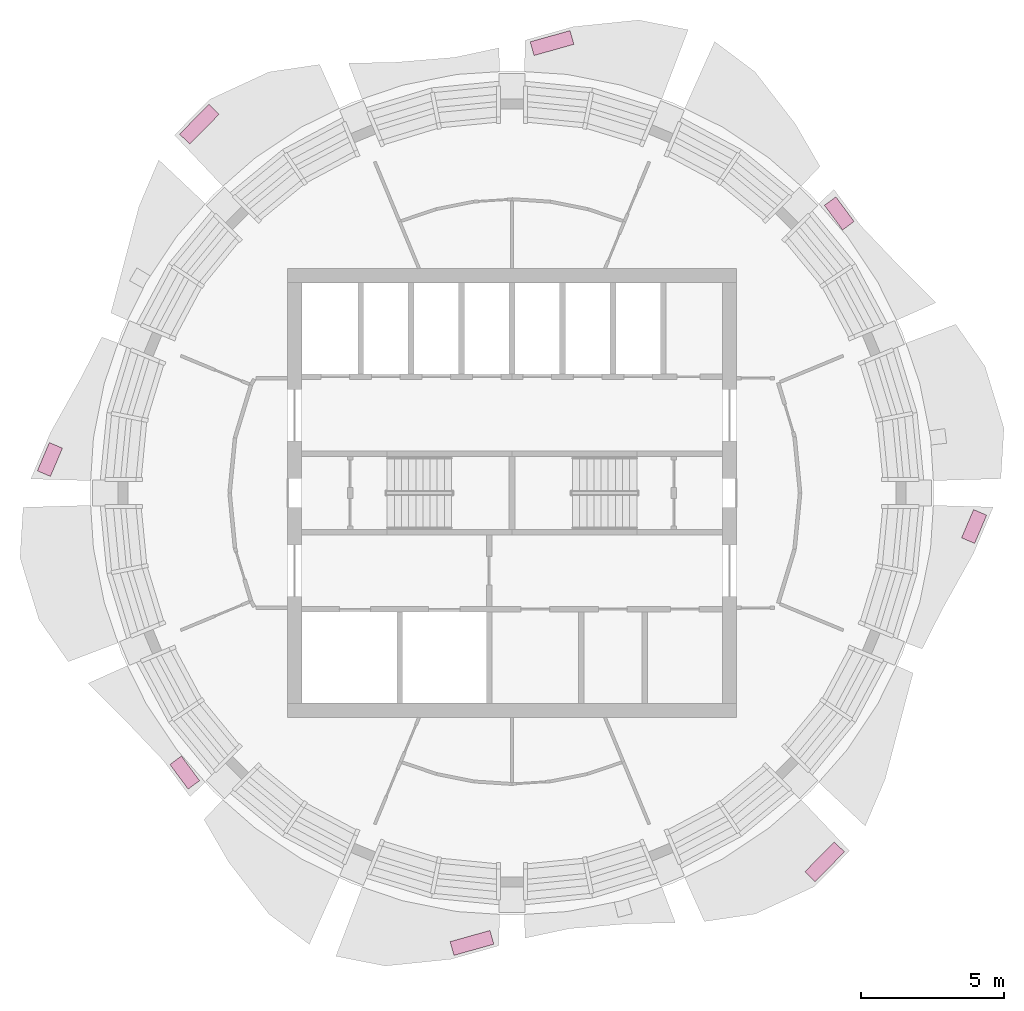
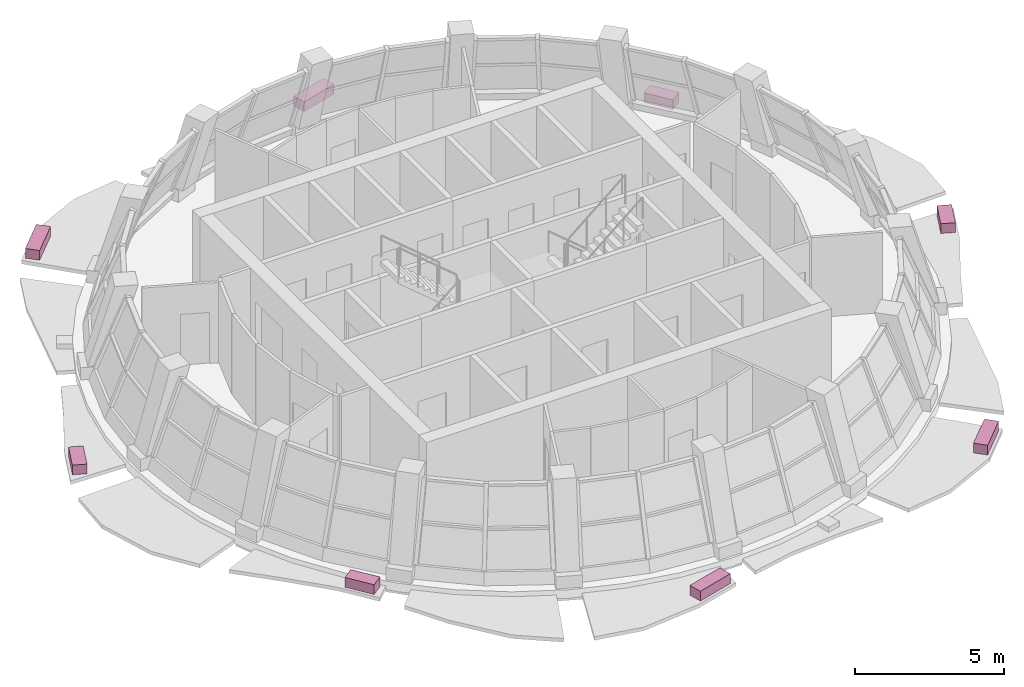
# One storey, part 12 of 12: 8 furniture elements.
"""IFC4 building model written with IfcOpenShell, lengths in metres."""

import ifcopenshell
import ifcopenshell.guid

model = None  # the IFC model being written
_history = None  # IfcOwnerHistory: only IFC2X3 demands one
_inside = {}  # id of a spatial element -> (the spatial element, [elements in it])
_under = {}  # id of a project, library or spatial element -> (it, [spatial elements below it])
_declared = {}  # id of a project -> (the project, [libraries it declares])
_typed = {}  # id of a type object -> (the type object, [elements of that type])
_made_of = {}  # id of a material, layer set ... -> (it, [elements and type objects made of it])


def new_model(schema):
    """Start an empty IFC model of exactly this schema.

    Asked for "IFC4X3", IfcOpenShell would pick the latest addendum, in which some entities
    have other attributes; the version numbers below select the first issue.
    IFC2X3 requires an IfcOwnerHistory on every rooted entity: one is made here for all.
    """
    global model, _history
    if schema == "IFC4X3":
        model = ifcopenshell.file(schema_version=(4, 3, 0, 0))
    else:
        model = ifcopenshell.file(schema=schema)
    _inside.clear()
    _under.clear()
    _declared.clear()
    _typed.clear()
    _made_of.clear()
    _history = None
    if model.schema == "IFC2X3":
        org = make("IfcOrganization", Name="unknown")
        user = make(
            "IfcPersonAndOrganization",
            ThePerson=make("IfcPerson", FamilyName="unknown"),
            TheOrganization=org,
        )
        app = make(
            "IfcApplication",
            ApplicationDeveloper=org,
            Version="unknown",
            ApplicationFullName="unknown",
            ApplicationIdentifier="unknown",
        )
        _history = make(
            "IfcOwnerHistory",
            OwningUser=user,
            OwningApplication=app,
            ChangeAction="ADDED",
            CreationDate=0,
        )
    return model


def make(cls, **values):
    """One entity of the class cls with the attributes given. An attribute that is None is left unset."""
    return model.create_entity(
        cls, **{name: value for name, value in values.items() if value is not None}
    )


def rooted(cls, **values):
    """An entity with a GlobalId (a new one), such as an element, a storey or a relation."""
    return make(cls, GlobalId=ifcopenshell.guid.new(), OwnerHistory=_history, **values)


def si_unit(unit_type, name, prefix=None):
    """IfcSIUnit, for example si_unit("LENGTHUNIT", "METRE", prefix="MILLI")."""
    return make("IfcSIUnit", UnitType=unit_type, Prefix=prefix, Name=name)


def assignment(units):
    """IfcUnitAssignment: the units of a project."""
    return None if units is None else make("IfcUnitAssignment", Units=units)


def point(xyz):
    """IfcCartesianPoint."""
    return None if xyz is None else make("IfcCartesianPoint", Coordinates=xyz)


def direction(xyz):
    """IfcDirection."""
    return None if xyz is None else make("IfcDirection", DirectionRatios=xyz)


def frame(location, z_axis=None, x_axis=None):
    """IfcAxis2Placement3D, a coordinate frame: its origin and axes. An axis left out is left unset."""
    return make(
        "IfcAxis2Placement3D",
        Location=point(location),
        Axis=direction(z_axis),
        RefDirection=direction(x_axis),
    )


def frame_2d(location, x_axis=None):
    """IfcAxis2Placement2D, a coordinate frame in the plane: its origin and x axis."""
    return make(
        "IfcAxis2Placement2D", Location=point(location), RefDirection=direction(x_axis)
    )


def origin():
    """The frame at (0, 0, 0) with its axes left unset."""
    return frame((0.0, 0.0, 0.0))


def origin_2d():
    """The frame at (0, 0) in the plane with its x axis left unset."""
    return frame_2d((0.0, 0.0))


def place(relative_to, where):
    """IfcLocalPlacement: puts the frame where relative to a parent placement (None: the world)."""
    return make(
        "IfcLocalPlacement", PlacementRelTo=relative_to, RelativePlacement=where
    )


def context(
    kind, dimensions, precision=None, world=None, true_north=None, identifier=None
):
    """IfcGeometricRepresentationContext, for example the 3D "Model" context."""
    return make(
        "IfcGeometricRepresentationContext",
        ContextIdentifier=identifier,
        ContextType=kind,
        CoordinateSpaceDimension=dimensions,
        Precision=precision,
        WorldCoordinateSystem=world,
        TrueNorth=true_north,
    )


def subcontext(parent, identifier, kind, view, scale=None):
    """IfcGeometricRepresentationSubContext, for example "Body" below "Model"."""
    return make(
        "IfcGeometricRepresentationSubContext",
        ContextIdentifier=identifier,
        ContextType=kind,
        ParentContext=parent,
        TargetScale=scale,
        TargetView=view,
    )


def project(units=None, contexts=None):
    """IfcProject with its units and contexts."""
    return rooted(
        "IfcProject",
        Name="project",
        RepresentationContexts=contexts,
        UnitsInContext=assignment(units),
    )


def spatial(cls, under=None, at=None, **own):
    """A site, building, storey or space (cls), placed at a placement, below another one or the project."""
    s = rooted(cls, ObjectPlacement=at, **own)
    if under is not None:
        _under.setdefault(under.id(), (under, []))[1].append(s)
    return s


def profile(cls, at=None, kind="AREA", **sizes):
    """A parametric profile (cls). Its sizes go by their IFC names, for example OverallWidth=200.0."""
    return make(cls, ProfileType=kind, Position=at, **sizes)


def rectangle(**sizes):
    """IfcRectangleProfileDef."""
    return profile("IfcRectangleProfileDef", **sizes)


def extrude(swept, where, along, depth):
    """IfcExtrudedAreaSolid: the profile swept, set in the frame where, extruded along a direction by depth."""
    return make(
        "IfcExtrudedAreaSolid",
        SweptArea=swept,
        Position=where,
        ExtrudedDirection=direction(along),
        Depth=depth,
    )


def shape(context_of_items, identifier, shape_type, items):
    """IfcShapeRepresentation: the items that make up one representation, for example the "Body"."""
    return make(
        "IfcShapeRepresentation",
        ContextOfItems=context_of_items,
        RepresentationIdentifier=identifier,
        RepresentationType=shape_type,
        Items=items,
    )


def material(Name=None, Category=None):
    """IfcMaterial."""
    return make("IfcMaterial", Name=Name, Category=Category)


def made_of(thing, what):
    """Note that an element or type object is made of a material, layer set ...; save() writes the relation."""
    if what is not None:
        _made_of.setdefault(what.id(), (what, []))[1].append(thing)
    return thing


def type_object(cls, material=None, **own):
    """A type object (cls), such as IfcWallType, which elements share."""
    return made_of(rooted(cls, **own), material)


def element(
    cls,
    number,
    at=None,
    inside=None,
    cuts=None,
    type_object=None,
    material=None,
    context=None,
    identifier="Body",
    shape_type=None,
    held_by="IfcProductDefinitionShape",
    body=None,
    shapes=None,
    **own,
):
    """One element of the class cls, such as IfcWall. Its Tag is "e" and its number.

    at: its placement. inside: the storey or other place that contains it. cuts: it is an
    opening in that element (IfcRelVoidsElement). A single representation is given by context,
    identifier, shape_type and body (its items); several are given by shapes. held_by: the class
    of the entity that holds the representations. save() writes the other relations.
    """
    e = rooted(cls, Tag="e%d" % number, ObjectPlacement=at, **own)
    if body is not None:
        shapes = [shape(context, identifier, shape_type, body)]
    if shapes is not None:
        e.Representation = make(held_by, Representations=shapes)
    if inside is not None:
        _inside.setdefault(inside.id(), (inside, []))[1].append(e)
    if cuts is not None:
        rooted(
            "IfcRelVoidsElement", RelatingBuildingElement=cuts, RelatedOpeningElement=e
        )
    if type_object is not None:
        _typed.setdefault(type_object.id(), (type_object, []))[1].append(e)
    return made_of(e, material)


def aggregate(whole, parts):
    """IfcRelAggregates: a whole, such as a stair, and the parts it consists of."""
    return rooted("IfcRelAggregates", RelatingObject=whole, RelatedObjects=parts)


def save(model, path):
    """Write the relations noted so far, then the file.

    IfcRelAggregates (storeys below a building ...), IfcRelContainedInSpatialStructure (elements
    in a storey), IfcRelDefinesByType, IfcRelAssociatesMaterial and IfcRelDeclares: one each for
    every whole, place, type object, material and project.
    """
    for whole, parts in _under.values():
        aggregate(whole, parts)
    for where, things in _inside.values():
        rooted(
            "IfcRelContainedInSpatialStructure",
            RelatedElements=things,
            RelatingStructure=where,
        )
    for kind, things in _typed.values():
        rooted("IfcRelDefinesByType", RelatedObjects=things, RelatingType=kind)
    for what, things in _made_of.values():
        rooted("IfcRelAssociatesMaterial", RelatedObjects=things, RelatingMaterial=what)
    for by, libraries in _declared.values():
        rooted("IfcRelDeclares", RelatingContext=by, RelatedDefinitions=libraries)
    model.write(path)


model = new_model("IFC4")

# Units and contexts
model_context = context("Model", 3, precision=1e-05, world=origin(), true_north=direction((0.0, 1.0)))
body_context = subcontext(model_context, "Body", "Model", "MODEL_VIEW")
ifc_project = project(units=[si_unit("LENGTHUNIT", "METRE"), si_unit("AREAUNIT", "SQUARE_METRE"), si_unit("VOLUMEUNIT", "CUBIC_METRE"), si_unit("PLANEANGLEUNIT", "RADIAN"), si_unit("MASSUNIT", "GRAM", prefix="KILO")], contexts=[model_context])

# Site, building, storey
site_placement = place(None, origin())
site = spatial("IfcSite", under=ifc_project, at=site_placement, CompositionType="ELEMENT")
building_placement = place(site_placement, origin())
building = spatial("IfcBuilding", under=site, at=building_placement, Name="Polderwave Tower", CompositionType="ELEMENT")
storey_placement = place(building_placement, frame((0.0, 0.0, 231.199951171875)))
storey = spatial("IfcBuildingStorey", under=building, at=storey_placement, Name="L63", CompositionType="ELEMENT", Elevation=231.199951171875)

# Furniture
ifc_material = material(Name="Terracotta", Category="masonry")
furniture_type = type_object("IfcFurnitureType", Name="Terracotta planting trough", AssemblyPlace="NOTDEFINED", PredefinedType="USERDEFINED", material=ifc_material)
furniture_1_placement = place(storey_placement, frame((11.471435546875, 9.80126953125, -0.199951171875), z_axis=(0.0, 0.0, 1.0), x_axis=(-0.594911171834, 0.803791451577, 0.0)))
element("IfcFurniture", 1, at=furniture_1_placement, inside=storey, type_object=furniture_type, Name="Planting trough L63 2", ObjectType="PLANTER", PredefinedType="USERDEFINED", context=body_context, shape_type="SweptSolid", body=[
    extrude(rectangle(XDim=1.0732421875, YDim=0.5, at=origin_2d()), origin(), (0.0, 0.0, 1.0), 0.39990234375),
])
furniture_2_placement = place(storey_placement, frame((1.4033203125, 15.772705078125, -0.199951171875), z_axis=(0.0, 0.0, 1.0), x_axis=(-0.962729047938, -0.270467706493, 0.0)))
element("IfcFurniture", 2, at=furniture_2_placement, inside=storey, type_object=furniture_type, Name="Planting trough L63 4", ObjectType="PLANTER", PredefinedType="USERDEFINED", context=body_context, shape_type="SweptSolid", body=[
    extrude(rectangle(XDim=1.451904296875, YDim=0.5, at=origin_2d()), origin(), (0.0, 0.0, 1.0), 0.39990234375),
])
furniture_3_placement = place(storey_placement, frame((-10.9619140625, 12.927490234375, -0.199951171875), z_axis=(0.0, 0.0, 1.0), x_axis=(-0.703124205656, -0.711067051283, 0.0)))
element("IfcFurniture", 3, at=furniture_3_placement, inside=storey, type_object=furniture_type, Name="Planting trough L63 6", ObjectType="PLANTER", PredefinedType="USERDEFINED", context=body_context, shape_type="SweptSolid", body=[
    extrude(rectangle(XDim=1.465087890625, YDim=0.5, at=origin_2d()), origin(), (0.0, 0.0, 1.0), 0.39990234375),
])
furniture_4_placement = place(storey_placement, frame((-16.19921875, 1.1748046875, -0.199951171875), z_axis=(0.0, 0.0, 1.0), x_axis=(-0.391906828814, -0.920004911687, 0.0)))
element("IfcFurniture", 4, at=furniture_4_placement, inside=storey, type_object=furniture_type, Name="Planting trough L63 8", ObjectType="PLANTER", PredefinedType="USERDEFINED", context=body_context, shape_type="SweptSolid", body=[
    extrude(rectangle(XDim=1.07666015625, YDim=0.5, at=origin_2d()), origin(), (0.0, 0.0, 1.0), 0.39990234375),
])
furniture_5_placement = place(storey_placement, frame((-11.471435546875, -9.80126953125, -0.199951171875), z_axis=(0.0, 0.0, 1.0), x_axis=(0.594911171834, -0.803791451577, 0.0)))
element("IfcFurniture", 5, at=furniture_5_placement, inside=storey, type_object=furniture_type, Name="Planting trough L63 10", ObjectType="PLANTER", PredefinedType="USERDEFINED", context=body_context, shape_type="SweptSolid", body=[
    extrude(rectangle(XDim=1.0732421875, YDim=0.5, at=origin_2d()), origin(), (0.0, 0.0, 1.0), 0.39990234375),
])
furniture_6_placement = place(storey_placement, frame((-1.4033203125, -15.772705078125, -0.199951171875), z_axis=(0.0, 0.0, 1.0), x_axis=(0.962729047938, 0.270467706493, 0.0)))
element("IfcFurniture", 6, at=furniture_6_placement, inside=storey, type_object=furniture_type, Name="Planting trough L63 12", ObjectType="PLANTER", PredefinedType="USERDEFINED", context=body_context, shape_type="SweptSolid", body=[
    extrude(rectangle(XDim=1.451904296875, YDim=0.5, at=origin_2d()), origin(), (0.0, 0.0, 1.0), 0.39990234375),
])
furniture_7_placement = place(storey_placement, frame((10.9619140625, -12.927490234375, -0.199951171875), z_axis=(0.0, 0.0, 1.0), x_axis=(0.703124205656, 0.711067051283, 0.0)))
element("IfcFurniture", 7, at=furniture_7_placement, inside=storey, type_object=furniture_type, Name="Planting trough L63 14", ObjectType="PLANTER", PredefinedType="USERDEFINED", context=body_context, shape_type="SweptSolid", body=[
    extrude(rectangle(XDim=1.465087890625, YDim=0.5, at=origin_2d()), origin(), (0.0, 0.0, 1.0), 0.39990234375),
])
furniture_8_placement = place(storey_placement, frame((16.19921875, -1.1748046875, -0.199951171875), z_axis=(0.0, 0.0, 1.0), x_axis=(0.391906828814, 0.920004911687, 0.0)))
element("IfcFurniture", 8, at=furniture_8_placement, inside=storey, type_object=furniture_type, Name="Planting trough L63 16", ObjectType="PLANTER", PredefinedType="USERDEFINED", context=body_context, shape_type="SweptSolid", body=[
    extrude(rectangle(XDim=1.07666015625, YDim=0.5, at=origin_2d()), origin(), (0.0, 0.0, 1.0), 0.39990234375),
])

save(model, "model.ifc")
